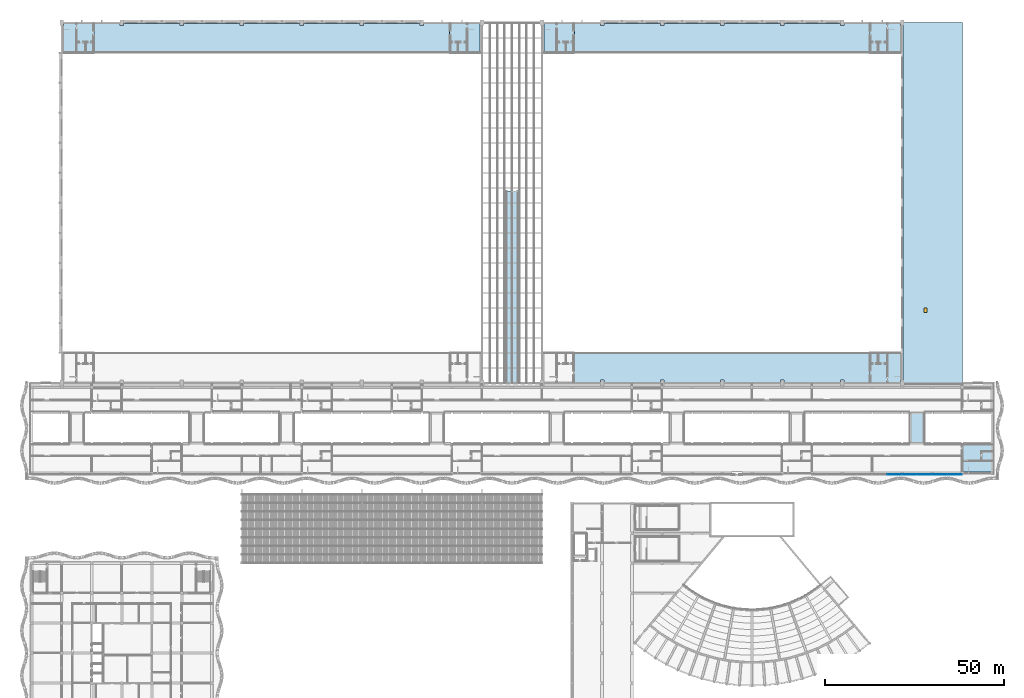
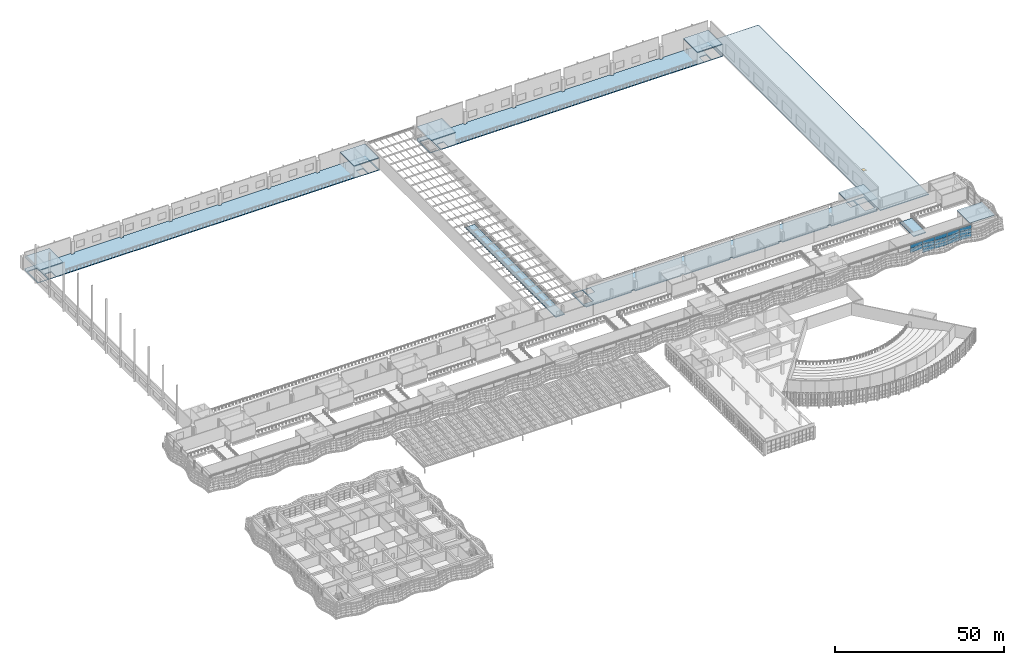
"""IFC4 building model written with IfcOpenShell, lengths in metres."""

from ifc_helpers import new_model, si_unit, direction, frame, origin, origin_2d, place, context, subcontext, project, spatial, polyline, rectangle, outline, extrude, material, layer, layer_set, type_object, element, fill, aggregate, save


model = new_model("IFC4")

# Units and contexts
model_context = context("Model", 3, precision=1e-05, world=origin(), true_north=direction((0.0, 1.0)))
body_context = subcontext(model_context, "Body", "Model", "MODEL_VIEW")
ifc_project = project(units=[si_unit("LENGTHUNIT", "METRE"), si_unit("AREAUNIT", "SQUARE_METRE"), si_unit("VOLUMEUNIT", "CUBIC_METRE"), si_unit("PLANEANGLEUNIT", "RADIAN"), si_unit("MASSUNIT", "GRAM", prefix="KILO")], contexts=[model_context])

# Site, building, storey
site_placement = place(None, origin())
site = spatial("IfcSite", under=ifc_project, at=site_placement, CompositionType="ELEMENT")
building_placement = place(site_placement, origin())
building = spatial("IfcBuilding", under=site, at=building_placement, Name="Rain Tree Exposition and Congress Centre", CompositionType="ELEMENT")
storey_1_placement = place(building_placement, frame((0.0, 0.0, 6.0)))
storey_1 = spatial("IfcBuildingStorey", under=building, at=storey_1_placement, Name="L01", CompositionType="ELEMENT", Elevation=6.0)

# Slabs
ifc_material_1 = material(Name="Precast concrete C50/60", Category="concrete")
ifc_layer_1 = layer(ifc_material_1, 0.300048828125)
ifc_layer_set_1 = layer_set([ifc_layer_1], Name="Precast concrete C50/60")
slab_type_1 = type_object("IfcSlabType", Name="Concourse bridge deck slab 300", PredefinedType="FLOOR", material=ifc_layer_set_1)
slab_1_placement = place(storey_1_placement, frame((0.0, 0.0, -0.300048828125)))
element("IfcSlab", 1, at=slab_1_placement, inside=storey_1, type_object=slab_type_1, Name="Concourse bridge deck 8", PredefinedType="FLOOR", context=body_context, shape_type="SweptSolid", body=[
    extrude(outline(polyline([(245.699951171875, 84.0), (249.89990234375, 84.0), (249.89990234375, 92.39990234375), (245.699951171875, 92.39990234375), (245.699951171875, 84.0)])), origin(), (0.0, 0.0, 1.0), 0.300048828125),
])
ifc_material_2 = material(Name="Concrete C40/50", Category="concrete")
ifc_layer_2 = layer(ifc_material_2, 0.300048828125)
ifc_layer_set_2 = layer_set([ifc_layer_2], Name="Concrete C40/50")
slab_type_2 = type_object("IfcSlabType", Name="Concourse core roof slab 300", PredefinedType="ROOF", material=ifc_layer_set_2)
slab_2_placement = place(storey_1_placement, frame((0.0, 0.0, 4.199951171875)))
element("IfcSlab", 2, at=slab_2_placement, inside=storey_1, type_object=slab_type_2, Name="Concourse core 6 roof", PredefinedType="ROOF", context=body_context, shape_type="SweptSolid", body=[
    extrude(outline(polyline([(268.824951171875, 83.699951171875), (268.824951171875, 75.949951171875), (268.449951171875, 75.949951171875), (260.75, 75.949951171875), (260.375, 75.949951171875), (260.375, 83.699951171875), (268.824951171875, 83.699951171875)])), origin(), (0.0, 0.0, 1.0), 0.300048828125),
])

# Curtain wall, plates
ifc_material_3 = material(Name="Aluminium curtain wall system", Category="aluminium")
ifc_layer_3 = layer(ifc_material_3, 0.10009765625)
ifc_layer_set_3 = layer_set([ifc_layer_3], Name="Aluminium curtain wall system")
curtain_wall_type = type_object("IfcCurtainWallType", Name="Concourse curtain wall 4200 module", PredefinedType="NOTDEFINED", material=ifc_layer_set_3)
curtain_wall_placement = place(storey_1_placement, origin())
curtain_wall = element("IfcCurtainWall", 3, at=curtain_wall_placement, inside=storey_1, type_object=curtain_wall_type, Name="Concourse curtain wall CWC28", PredefinedType="NOTDEFINED")
ifc_material_4 = material(Name="Laminated low-e glass", Category="glass")
ifc_layer_4 = layer(ifc_material_4, 0.028076171875)
ifc_layer_set_4 = layer_set([ifc_layer_4], Name="Laminated low-e glass")
plate_type = type_object("IfcPlateType", Name="Concourse curtain wall glass panel 28", PredefinedType="CURTAIN_PANEL", material=ifc_layer_set_4)
plate_1_placement = place(storey_1_placement, frame((241.5, 75.199951171875, 1.530029296875), z_axis=(0.0, 0.0, 1.0), x_axis=(1.0, 0.0, 0.0)))
plate_1 = element("IfcPlate", 4, at=plate_1_placement, type_object=plate_type, Name="CWC28 panel 6.2", PredefinedType="CURTAIN_PANEL", context=body_context, shape_type="SweptSolid", body=[
    extrude(rectangle(XDim=4.139892578125, YDim=0.028076171875, at=origin_2d()), origin(), (0.0, 0.0, 1.0), 1.43994140625),
])
plate_2_placement = place(storey_1_placement, frame((241.5, 75.199951171875, 3.0302734375), z_axis=(0.0, 0.0, 1.0), x_axis=(1.0, 0.0, 0.0)))
plate_2 = element("IfcPlate", 5, at=plate_2_placement, type_object=plate_type, Name="CWC28 panel 6.3", PredefinedType="CURTAIN_PANEL", context=body_context, shape_type="SweptSolid", body=[
    extrude(rectangle(XDim=4.139892578125, YDim=0.028076171875, at=origin_2d()), origin(), (0.0, 0.0, 1.0), 1.409912109375),
])
plate_3_placement = place(storey_1_placement, frame((245.699951171875, 75.199951171875, 0.06005859375), z_axis=(0.0, 0.0, 1.0), x_axis=(1.0, 0.0, 0.0)))
plate_3 = element("IfcPlate", 6, at=plate_3_placement, type_object=plate_type, Name="CWC28 panel 7.1", PredefinedType="CURTAIN_PANEL", context=body_context, shape_type="SweptSolid", body=[
    extrude(rectangle(XDim=4.139892578125, YDim=0.028076171875, at=origin_2d()), origin(), (0.0, 0.0, 1.0), 1.409912109375),
])
plate_4_placement = place(storey_1_placement, frame((245.699951171875, 75.199951171875, 1.530029296875), z_axis=(0.0, 0.0, 1.0), x_axis=(1.0, 0.0, 0.0)))
plate_4 = element("IfcPlate", 7, at=plate_4_placement, type_object=plate_type, Name="CWC28 panel 7.2", PredefinedType="CURTAIN_PANEL", context=body_context, shape_type="SweptSolid", body=[
    extrude(rectangle(XDim=4.139892578125, YDim=0.028076171875, at=origin_2d()), origin(), (0.0, 0.0, 1.0), 1.43994140625),
])
plate_5_placement = place(storey_1_placement, frame((245.699951171875, 75.199951171875, 3.0302734375), z_axis=(0.0, 0.0, 1.0), x_axis=(1.0, 0.0, 0.0)))
plate_5 = element("IfcPlate", 8, at=plate_5_placement, type_object=plate_type, Name="CWC28 panel 7.3", PredefinedType="CURTAIN_PANEL", context=body_context, shape_type="SweptSolid", body=[
    extrude(rectangle(XDim=4.139892578125, YDim=0.028076171875, at=origin_2d()), origin(), (0.0, 0.0, 1.0), 1.409912109375),
])
plate_6_placement = place(storey_1_placement, frame((249.89990234375, 75.199951171875, 0.06005859375), z_axis=(0.0, 0.0, 1.0), x_axis=(1.0, 0.0, 0.0)))
plate_6 = element("IfcPlate", 9, at=plate_6_placement, type_object=plate_type, Name="CWC28 panel 8.1", PredefinedType="CURTAIN_PANEL", context=body_context, shape_type="SweptSolid", body=[
    extrude(rectangle(XDim=4.139892578125, YDim=0.028076171875, at=origin_2d()), origin(), (0.0, 0.0, 1.0), 1.409912109375),
])
plate_7_placement = place(storey_1_placement, frame((249.89990234375, 75.199951171875, 1.530029296875), z_axis=(0.0, 0.0, 1.0), x_axis=(1.0, 0.0, 0.0)))
plate_7 = element("IfcPlate", 10, at=plate_7_placement, type_object=plate_type, Name="CWC28 panel 8.2", PredefinedType="CURTAIN_PANEL", context=body_context, shape_type="SweptSolid", body=[
    extrude(rectangle(XDim=4.139892578125, YDim=0.028076171875, at=origin_2d()), origin(), (0.0, 0.0, 1.0), 1.43994140625),
])
plate_8_placement = place(storey_1_placement, frame((249.89990234375, 75.199951171875, 3.0302734375), z_axis=(0.0, 0.0, 1.0), x_axis=(1.0, 0.0, 0.0)))
plate_8 = element("IfcPlate", 11, at=plate_8_placement, type_object=plate_type, Name="CWC28 panel 8.3", PredefinedType="CURTAIN_PANEL", context=body_context, shape_type="SweptSolid", body=[
    extrude(rectangle(XDim=4.139892578125, YDim=0.028076171875, at=origin_2d()), origin(), (0.0, 0.0, 1.0), 1.409912109375),
])
plate_9_placement = place(storey_1_placement, frame((254.10009765625, 75.199951171875, 0.06005859375), z_axis=(0.0, 0.0, 1.0), x_axis=(1.0, 0.0, 0.0)))
plate_9 = element("IfcPlate", 12, at=plate_9_placement, type_object=plate_type, Name="CWC28 panel 9.1", PredefinedType="CURTAIN_PANEL", context=body_context, shape_type="SweptSolid", body=[
    extrude(rectangle(XDim=4.139892578125, YDim=0.028076171875, at=origin_2d()), origin(), (0.0, 0.0, 1.0), 1.409912109375),
])
plate_10_placement = place(storey_1_placement, frame((254.10009765625, 75.199951171875, 1.530029296875), z_axis=(0.0, 0.0, 1.0), x_axis=(1.0, 0.0, 0.0)))
plate_10 = element("IfcPlate", 13, at=plate_10_placement, type_object=plate_type, Name="CWC28 panel 9.2", PredefinedType="CURTAIN_PANEL", context=body_context, shape_type="SweptSolid", body=[
    extrude(rectangle(XDim=4.139892578125, YDim=0.028076171875, at=origin_2d()), origin(), (0.0, 0.0, 1.0), 1.43994140625),
])
plate_11_placement = place(storey_1_placement, frame((254.10009765625, 75.199951171875, 3.0302734375), z_axis=(0.0, 0.0, 1.0), x_axis=(1.0, 0.0, 0.0)))
plate_11 = element("IfcPlate", 14, at=plate_11_placement, type_object=plate_type, Name="CWC28 panel 9.3", PredefinedType="CURTAIN_PANEL", context=body_context, shape_type="SweptSolid", body=[
    extrude(rectangle(XDim=4.139892578125, YDim=0.028076171875, at=origin_2d()), origin(), (0.0, 0.0, 1.0), 1.409912109375),
])
plate_12_placement = place(storey_1_placement, frame((258.284912109375, 75.199951171875, 0.06005859375), z_axis=(0.0, 0.0, 1.0), x_axis=(1.0, 0.0, 0.0)))
plate_12 = element("IfcPlate", 15, at=plate_12_placement, type_object=plate_type, Name="CWC28 panel 10.1", PredefinedType="CURTAIN_PANEL", context=body_context, shape_type="SweptSolid", body=[
    extrude(rectangle(XDim=4.110107421875, YDim=0.028076171875, at=origin_2d()), origin(), (0.0, 0.0, 1.0), 1.409912109375),
])
plate_13_placement = place(storey_1_placement, frame((258.284912109375, 75.199951171875, 1.530029296875), z_axis=(0.0, 0.0, 1.0), x_axis=(1.0, 0.0, 0.0)))
plate_13 = element("IfcPlate", 16, at=plate_13_placement, type_object=plate_type, Name="CWC28 panel 10.2", PredefinedType="CURTAIN_PANEL", context=body_context, shape_type="SweptSolid", body=[
    extrude(rectangle(XDim=4.110107421875, YDim=0.028076171875, at=origin_2d()), origin(), (0.0, 0.0, 1.0), 1.43994140625),
])
plate_14_placement = place(storey_1_placement, frame((258.284912109375, 75.199951171875, 3.0302734375), z_axis=(0.0, 0.0, 1.0), x_axis=(1.0, 0.0, 0.0)))
plate_14 = element("IfcPlate", 17, at=plate_14_placement, type_object=plate_type, Name="CWC28 panel 10.3", PredefinedType="CURTAIN_PANEL", context=body_context, shape_type="SweptSolid", body=[
    extrude(rectangle(XDim=4.110107421875, YDim=0.028076171875, at=origin_2d()), origin(), (0.0, 0.0, 1.0), 1.409912109375),
])
aggregate(curtain_wall, [plate_1, plate_2, plate_3, plate_4, plate_5, plate_6, plate_7, plate_8, plate_9, plate_10, plate_11, plate_12, plate_13, plate_14])

# Slabs
ifc_material_5 = material(Name="Concrete C40/50", Category="concrete")
ifc_layer_5 = layer(ifc_material_5, 0.300048828125)
ifc_layer_set_5 = layer_set([ifc_layer_5], Name="Concrete C40/50")
slab_type_3 = type_object("IfcSlabType", Name="Core roof slab 300", PredefinedType="ROOF", material=ifc_layer_set_5)
slab_3_placement = place(storey_1_placement, frame((0.0, 0.0, 4.10009765625)))
element("IfcSlab", 18, at=slab_3_placement, inside=storey_1, type_object=slab_type_3, Name="Core roof 3", PredefinedType="ROOF", context=body_context, shape_type="SweptSolid", body=[
    extrude(outline(polyline([(17.425048828125, 193.074951171875), (17.425048828125, 201.39990234375), (8.89990234375, 201.39990234375), (8.89990234375, 193.074951171875), (17.425048828125, 193.074951171875)])), origin(), (0.0, 0.0, 1.0), 0.2998046875),
])
slab_4_placement = place(storey_1_placement, frame((0.0, 0.0, 4.10009765625)))
element("IfcSlab", 19, at=slab_4_placement, inside=storey_1, type_object=slab_type_3, Name="Core roof 4", PredefinedType="ROOF", context=body_context, shape_type="SweptSolid", body=[
    extrude(outline(polyline([(125.5, 193.074951171875), (125.5, 201.39990234375), (116.97509765625, 201.39990234375), (116.97509765625, 193.074951171875), (125.5, 193.074951171875)])), origin(), (0.0, 0.0, 1.0), 0.2998046875),
])
slab_5_placement = place(storey_1_placement, frame((0.0, 0.0, 4.10009765625)))
element("IfcSlab", 20, at=slab_5_placement, inside=storey_1, type_object=slab_type_3, Name="Core roof 6", PredefinedType="ROOF", context=body_context, shape_type="SweptSolid", body=[
    extrude(outline(polyline([(243.10009765625, 101.0), (243.10009765625, 109.324951171875), (234.574951171875, 109.324951171875), (234.574951171875, 101.0), (243.10009765625, 101.0)])), origin(), (0.0, 0.0, 1.0), 0.2998046875),
])
slab_6_placement = place(storey_1_placement, frame((0.0, 0.0, 4.10009765625)))
element("IfcSlab", 21, at=slab_6_placement, inside=storey_1, type_object=slab_type_3, Name="Core roof 7", PredefinedType="ROOF", context=body_context, shape_type="SweptSolid", body=[
    extrude(outline(polyline([(151.824951171875, 193.074951171875), (151.824951171875, 201.39990234375), (143.300048828125, 201.39990234375), (143.300048828125, 193.074951171875), (151.824951171875, 193.074951171875)])), origin(), (0.0, 0.0, 1.0), 0.2998046875),
])
slab_7_placement = place(storey_1_placement, frame((0.0, 0.0, 4.10009765625)))
element("IfcSlab", 22, at=slab_7_placement, inside=storey_1, type_object=slab_type_3, Name="Core roof 8", PredefinedType="ROOF", context=body_context, shape_type="SweptSolid", body=[
    extrude(outline(polyline([(243.10009765625, 193.074951171875), (243.10009765625, 201.39990234375), (234.574951171875, 201.39990234375), (234.574951171875, 193.074951171875), (243.10009765625, 193.074951171875)])), origin(), (0.0, 0.0, 1.0), 0.2998046875),
])
ifc_material_6 = material(Name="Precast concrete C50/60", Category="concrete")
ifc_layer_6 = layer(ifc_material_6, 0.300048828125)
ifc_layer_set_6 = layer_set([ifc_layer_6], Name="Precast concrete C50/60")
slab_type_4 = type_object("IfcSlabType", Name="Hall gallery floor 300", PredefinedType="FLOOR", material=ifc_layer_set_6)
slab_8_placement = place(storey_1_placement, frame((0.0, 0.0, -0.300048828125)))
element("IfcSlab", 23, at=slab_8_placement, inside=storey_1, type_object=slab_type_4, Name="Gallery floor N", PredefinedType="FLOOR", context=body_context, shape_type="SweptSolid", body=[
    extrude(outline(polyline([(125.800048828125, 193.199951171875), (8.60009765625, 193.199951171875), (8.60009765625, 200.800048828125), (8.89990234375, 200.800048828125), (8.89990234375, 201.39990234375), (24.699951171875, 201.39990234375), (24.699951171875, 200.800048828125), (25.699951171875, 200.800048828125), (25.699951171875, 201.39990234375), (41.5, 201.39990234375), (41.5, 200.800048828125), (42.5, 200.800048828125), (42.5, 201.39990234375), (58.300048828125, 201.39990234375), (58.300048828125, 200.800048828125), (59.300048828125, 200.800048828125), (59.300048828125, 201.39990234375), (75.10009765625, 201.39990234375), (75.10009765625, 200.800048828125), (76.10009765625, 200.800048828125), (76.10009765625, 201.39990234375), (91.89990234375, 201.39990234375), (91.89990234375, 200.800048828125), (92.89990234375, 200.800048828125), (92.89990234375, 201.39990234375), (108.699951171875, 201.39990234375), (108.699951171875, 200.800048828125), (109.699951171875, 200.800048828125), (109.699951171875, 201.39990234375), (125.5, 201.39990234375), (125.5, 200.800048828125), (125.800048828125, 200.800048828125), (125.800048828125, 193.199951171875)]), holes=[polyline([(14.97509765625, 196.074951171875), (12.625, 196.074951171875), (12.625, 193.324951171875), (14.97509765625, 193.324951171875), (14.97509765625, 196.074951171875)]), polyline([(8.903076171875, 199.797119140625), (8.903076171875, 193.327880859375), (12.2470703125, 193.327880859375), (12.2470703125, 199.797119140625), (8.903076171875, 199.797119140625)]), polyline([(121.77490234375, 196.074951171875), (119.425048828125, 196.074951171875), (119.425048828125, 193.324951171875), (121.77490234375, 193.324951171875), (121.77490234375, 196.074951171875)]), polyline([(122.028076171875, 199.797119140625), (122.028076171875, 193.327880859375), (125.3720703125, 193.327880859375), (125.3720703125, 199.797119140625), (122.028076171875, 199.797119140625)])]), origin(), (0.0, 0.0, 1.0), 0.300048828125),
])
slab_9_placement = place(storey_1_placement, frame((0.0, 0.0, -0.300048828125)))
element("IfcSlab", 24, at=slab_9_placement, inside=storey_1, type_object=slab_type_4, Name="Gallery floor S", PredefinedType="FLOOR", context=body_context, shape_type="SweptSolid", body=[
    extrude(outline(polyline([(143.0, 109.199951171875), (243.39990234375, 109.199951171875), (243.39990234375, 101.60009765625), (243.10009765625, 101.60009765625), (243.10009765625, 101.0), (227.300048828125, 101.0), (227.300048828125, 101.60009765625), (226.300048828125, 101.60009765625), (226.300048828125, 101.0), (210.5, 101.0), (210.5, 101.60009765625), (209.5, 101.60009765625), (209.5, 101.0), (193.699951171875, 101.0), (193.699951171875, 101.60009765625), (192.699951171875, 101.60009765625), (192.699951171875, 101.0), (176.89990234375, 101.0), (176.89990234375, 101.60009765625), (175.89990234375, 101.60009765625), (175.89990234375, 101.0), (160.10009765625, 101.0), (160.10009765625, 101.60009765625), (159.10009765625, 101.60009765625), (159.10009765625, 101.0), (143.300048828125, 101.0), (143.300048828125, 101.60009765625), (143.0, 101.60009765625), (143.0, 109.199951171875)]), holes=[polyline([(146.77197265625, 102.60302734375), (146.77197265625, 109.072021484375), (143.427978515625, 109.072021484375), (143.427978515625, 102.60302734375), (146.77197265625, 102.60302734375)]), polyline([(149.375, 109.074951171875), (147.02490234375, 109.074951171875), (147.02490234375, 106.324951171875), (149.375, 106.324951171875), (149.375, 109.074951171875)]), polyline([(243.096923828125, 102.60302734375), (243.096923828125, 109.072021484375), (239.7529296875, 109.072021484375), (239.7529296875, 102.60302734375), (243.096923828125, 102.60302734375)]), polyline([(239.375, 106.324951171875), (239.375, 109.074951171875), (237.02490234375, 109.074951171875), (237.02490234375, 106.324951171875), (239.375, 106.324951171875)])]), origin(), (0.0, 0.0, 1.0), 0.300048828125),
])
slab_10_placement = place(storey_1_placement, frame((0.0, 0.0, -0.300048828125)))
element("IfcSlab", 25, at=slab_10_placement, inside=storey_1, type_object=slab_type_4, Name="Gallery floor N", PredefinedType="FLOOR", context=body_context, shape_type="SweptSolid", body=[
    extrude(outline(polyline([(243.39990234375, 193.199951171875), (143.0, 193.199951171875), (143.0, 200.800048828125), (143.300048828125, 200.800048828125), (143.300048828125, 201.39990234375), (159.10009765625, 201.39990234375), (159.10009765625, 200.800048828125), (160.10009765625, 200.800048828125), (160.10009765625, 201.39990234375), (175.89990234375, 201.39990234375), (175.89990234375, 200.800048828125), (176.89990234375, 200.800048828125), (176.89990234375, 201.39990234375), (192.699951171875, 201.39990234375), (192.699951171875, 200.800048828125), (193.699951171875, 200.800048828125), (193.699951171875, 201.39990234375), (209.5, 201.39990234375), (209.5, 200.800048828125), (210.5, 200.800048828125), (210.5, 201.39990234375), (226.300048828125, 201.39990234375), (226.300048828125, 200.800048828125), (227.300048828125, 200.800048828125), (227.300048828125, 201.39990234375), (243.10009765625, 201.39990234375), (243.10009765625, 200.800048828125), (243.39990234375, 200.800048828125), (243.39990234375, 193.199951171875)]), holes=[polyline([(149.375, 193.324951171875), (149.375, 196.074951171875), (147.02490234375, 196.074951171875), (147.02490234375, 193.324951171875), (149.375, 193.324951171875)]), polyline([(143.302978515625, 199.797119140625), (143.302978515625, 193.327880859375), (146.64697265625, 193.327880859375), (146.64697265625, 199.797119140625), (143.302978515625, 199.797119140625)]), polyline([(239.375, 196.074951171875), (237.02490234375, 196.074951171875), (237.02490234375, 193.324951171875), (239.375, 193.324951171875), (239.375, 196.074951171875)]), polyline([(239.6279296875, 199.797119140625), (239.6279296875, 193.327880859375), (242.971923828125, 193.327880859375), (242.971923828125, 199.797119140625), (239.6279296875, 199.797119140625)])]), origin(), (0.0, 0.0, 1.0), 0.300048828125),
])
ifc_material_7 = material(Name="Precast concrete C50/60", Category="concrete")
ifc_layer_7 = layer(ifc_material_7, 0.300048828125)
ifc_layer_set_7 = layer_set([ifc_layer_7], Name="Precast concrete C50/60")
slab_type_5 = type_object("IfcSlabType", Name="Link walk deck 300", PredefinedType="FLOOR", material=ifc_layer_set_7)
slab_11_placement = place(storey_1_placement, frame((0.0, 0.0, -0.300048828125)))
element("IfcSlab", 26, at=slab_11_placement, inside=storey_1, type_object=slab_type_5, Name="Link walk deck", PredefinedType="FLOOR", context=body_context, shape_type="SweptSolid", body=[
    extrude(outline(polyline([(136.0, 154.5029296875), (136.0, 101.0), (132.85009765625, 101.0), (132.85009765625, 154.5029296875), (132.85302734375, 154.5029296875), (135.9970703125, 154.5029296875), (136.0, 154.5029296875)])), origin(), (0.0, 0.0, 1.0), 0.300048828125),
])

# Slab, opening
ifc_material_8 = material(Name="Precast concrete C50/60", Category="concrete")
ifc_layer_8 = layer(ifc_material_8, 0.300048828125)
ifc_layer_set_8 = layer_set([ifc_layer_8], Name="Precast concrete C50/60")
slab_type_6 = type_object("IfcSlabType", Name="Planted roof slab 300", PredefinedType="ROOF", material=ifc_layer_set_8)
slab_12_placement = place(storey_1_placement, frame((0.0, 0.0, -0.300048828125)))
slab_12 = element("IfcSlab", 27, at=slab_12_placement, inside=storey_1, type_object=slab_type_6, Name="Planted roof slab", PredefinedType="ROOF", context=body_context, shape_type="SweptSolid", body=[
    extrude(outline(polyline([(260.550048828125, 100.64990234375), (260.550048828125, 201.75), (243.800048828125, 201.75), (243.800048828125, 100.64990234375), (260.550048828125, 100.64990234375)])), origin(), (0.0, 0.0, 1.0), 0.300048828125),
])
opening_placement = place(slab_12_placement, frame((250.10009765625, 121.199951171875, 0.0)))
opening = element("IfcOpeningElement", 28, at=opening_placement, cuts=slab_12, Name="Opening RH01", PredefinedType="OPENING", context=body_context, shape_type="SweptSolid", body=[
    extrude(rectangle(XDim=0.89990234375, YDim=1.199951171875, at=origin_2d()), origin(), (0.0, 0.0, 1.0), 0.300048828125),
])

# Storey
storey_2_placement = place(building_placement, origin())
storey_2 = spatial("IfcBuildingStorey", under=building, at=storey_2_placement, Name="L00", CompositionType="ELEMENT", Elevation=0.0)

# Window
ifc_material_9 = material(Name="Galvanised steel and glass", Category="steel")
window_type = type_object("IfcWindowType", Name="Roof access hatch 900x1200", PartitioningType="SINGLE_PANEL", PredefinedType="SKYLIGHT", material=ifc_material_9)
window_placement = place(opening_placement, frame((0.0, 0.0, 0.25)))
window = element("IfcWindow", 29, at=window_placement, inside=storey_2, type_object=window_type, Name="Roof access hatch RH01", OverallHeight=1.199951171875, OverallWidth=0.89990234375, PartitioningType="SINGLE_PANEL", PredefinedType="SKYLIGHT", context=body_context, shape_type="SweptSolid", body=[
    extrude(rectangle(XDim=0.89990234375, YDim=1.199951171875, at=origin_2d()), origin(), (0.0, 0.0, 1.0), 0.050048828125),
])

fill(opening, window)

save(model, "model.ifc")
